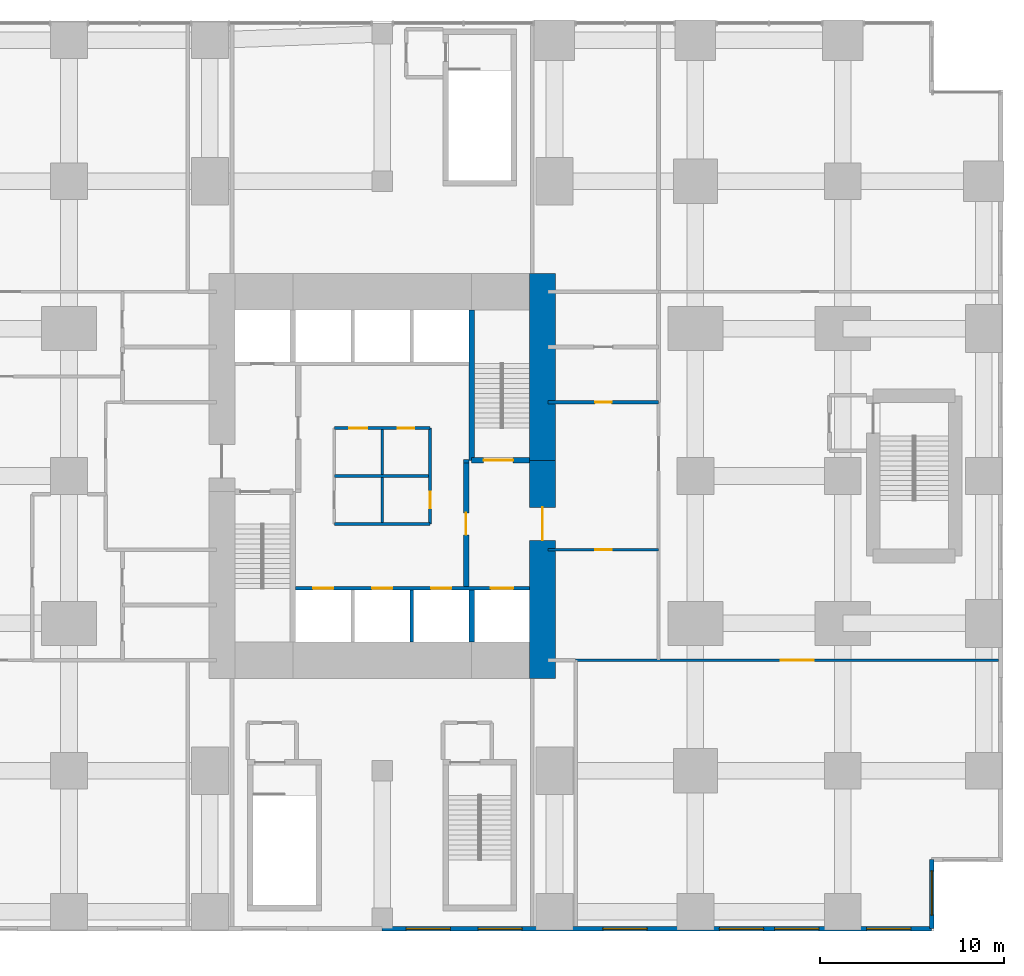
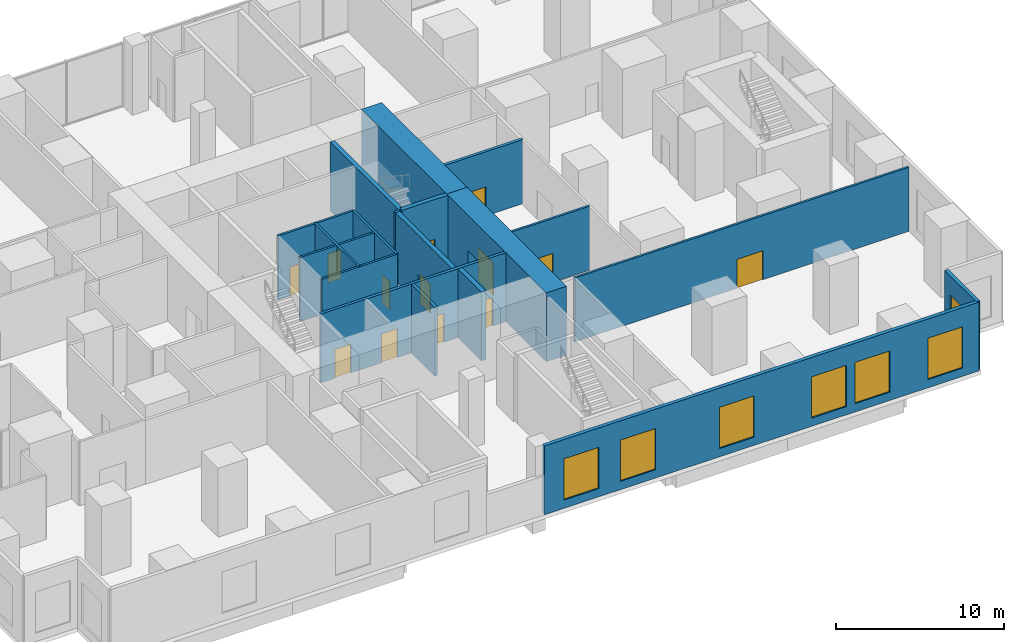
# One storey, part 8 of 11: 19 walls, 13 doors, 7 windows, 20 openings.
"""IFC4 building model written with IfcOpenShell, lengths in metres."""

import ifcopenshell
import ifcopenshell.guid

model = None  # the IFC model being written
_history = None  # IfcOwnerHistory: only IFC2X3 demands one
_inside = {}  # id of a spatial element -> (the spatial element, [elements in it])
_under = {}  # id of a project, library or spatial element -> (it, [spatial elements below it])
_declared = {}  # id of a project -> (the project, [libraries it declares])
_typed = {}  # id of a type object -> (the type object, [elements of that type])
_made_of = {}  # id of a material, layer set ... -> (it, [elements and type objects made of it])


def new_model(schema):
    """Start an empty IFC model of exactly this schema.

    Asked for "IFC4X3", IfcOpenShell would pick the latest addendum, in which some entities
    have other attributes; the version numbers below select the first issue.
    IFC2X3 requires an IfcOwnerHistory on every rooted entity: one is made here for all.
    """
    global model, _history
    if schema == "IFC4X3":
        model = ifcopenshell.file(schema_version=(4, 3, 0, 0))
    else:
        model = ifcopenshell.file(schema=schema)
    _inside.clear()
    _under.clear()
    _declared.clear()
    _typed.clear()
    _made_of.clear()
    _history = None
    if model.schema == "IFC2X3":
        org = make("IfcOrganization", Name="unknown")
        user = make(
            "IfcPersonAndOrganization",
            ThePerson=make("IfcPerson", FamilyName="unknown"),
            TheOrganization=org,
        )
        app = make(
            "IfcApplication",
            ApplicationDeveloper=org,
            Version="unknown",
            ApplicationFullName="unknown",
            ApplicationIdentifier="unknown",
        )
        _history = make(
            "IfcOwnerHistory",
            OwningUser=user,
            OwningApplication=app,
            ChangeAction="ADDED",
            CreationDate=0,
        )
    return model


def make(cls, **values):
    """One entity of the class cls with the attributes given. An attribute that is None is left unset."""
    return model.create_entity(
        cls, **{name: value for name, value in values.items() if value is not None}
    )


def rooted(cls, **values):
    """An entity with a GlobalId (a new one), such as an element, a storey or a relation."""
    return make(cls, GlobalId=ifcopenshell.guid.new(), OwnerHistory=_history, **values)


def si_unit(unit_type, name, prefix=None):
    """IfcSIUnit, for example si_unit("LENGTHUNIT", "METRE", prefix="MILLI")."""
    return make("IfcSIUnit", UnitType=unit_type, Prefix=prefix, Name=name)


def assignment(units):
    """IfcUnitAssignment: the units of a project."""
    return None if units is None else make("IfcUnitAssignment", Units=units)


def point(xyz):
    """IfcCartesianPoint."""
    return None if xyz is None else make("IfcCartesianPoint", Coordinates=xyz)


def direction(xyz):
    """IfcDirection."""
    return None if xyz is None else make("IfcDirection", DirectionRatios=xyz)


def frame(location, z_axis=None, x_axis=None):
    """IfcAxis2Placement3D, a coordinate frame: its origin and axes. An axis left out is left unset."""
    return make(
        "IfcAxis2Placement3D",
        Location=point(location),
        Axis=direction(z_axis),
        RefDirection=direction(x_axis),
    )


def frame_2d(location, x_axis=None):
    """IfcAxis2Placement2D, a coordinate frame in the plane: its origin and x axis."""
    return make(
        "IfcAxis2Placement2D", Location=point(location), RefDirection=direction(x_axis)
    )


def origin():
    """The frame at (0, 0, 0) with its axes left unset."""
    return frame((0.0, 0.0, 0.0))


def place(relative_to, where):
    """IfcLocalPlacement: puts the frame where relative to a parent placement (None: the world)."""
    return make(
        "IfcLocalPlacement", PlacementRelTo=relative_to, RelativePlacement=where
    )


def context(
    kind, dimensions, precision=None, world=None, true_north=None, identifier=None
):
    """IfcGeometricRepresentationContext, for example the 3D "Model" context."""
    return make(
        "IfcGeometricRepresentationContext",
        ContextIdentifier=identifier,
        ContextType=kind,
        CoordinateSpaceDimension=dimensions,
        Precision=precision,
        WorldCoordinateSystem=world,
        TrueNorth=true_north,
    )


def subcontext(parent, identifier, kind, view, scale=None):
    """IfcGeometricRepresentationSubContext, for example "Body" below "Model"."""
    return make(
        "IfcGeometricRepresentationSubContext",
        ContextIdentifier=identifier,
        ContextType=kind,
        ParentContext=parent,
        TargetScale=scale,
        TargetView=view,
    )


def project(units=None, contexts=None):
    """IfcProject with its units and contexts."""
    return rooted(
        "IfcProject",
        Name="project",
        RepresentationContexts=contexts,
        UnitsInContext=assignment(units),
    )


def spatial(cls, under=None, at=None, **own):
    """A site, building, storey or space (cls), placed at a placement, below another one or the project."""
    s = rooted(cls, ObjectPlacement=at, **own)
    if under is not None:
        _under.setdefault(under.id(), (under, []))[1].append(s)
    return s


def profile(cls, at=None, kind="AREA", **sizes):
    """A parametric profile (cls). Its sizes go by their IFC names, for example OverallWidth=200.0."""
    return make(cls, ProfileType=kind, Position=at, **sizes)


def rectangle(**sizes):
    """IfcRectangleProfileDef."""
    return profile("IfcRectangleProfileDef", **sizes)


def extrude(swept, where, along, depth):
    """IfcExtrudedAreaSolid: the profile swept, set in the frame where, extruded along a direction by depth."""
    return make(
        "IfcExtrudedAreaSolid",
        SweptArea=swept,
        Position=where,
        ExtrudedDirection=direction(along),
        Depth=depth,
    )


def shape(context_of_items, identifier, shape_type, items):
    """IfcShapeRepresentation: the items that make up one representation, for example the "Body"."""
    return make(
        "IfcShapeRepresentation",
        ContextOfItems=context_of_items,
        RepresentationIdentifier=identifier,
        RepresentationType=shape_type,
        Items=items,
    )


def material(Name=None, Category=None):
    """IfcMaterial."""
    return make("IfcMaterial", Name=Name, Category=Category)


def layer(
    of_material, thickness, ventilated=None, Name=None, Category=None, Priority=None
):
    """IfcMaterialLayer: one layer of a wall or slab, of a material (None: an air gap)."""
    return make(
        "IfcMaterialLayer",
        Material=of_material,
        LayerThickness=thickness,
        IsVentilated=ventilated,
        Name=Name,
        Category=Category,
        Priority=Priority,
    )


def layer_set(layers, Name=None):
    """IfcMaterialLayerSet."""
    return make("IfcMaterialLayerSet", MaterialLayers=layers, LayerSetName=Name)


def made_of(thing, what):
    """Note that an element or type object is made of a material, layer set ...; save() writes the relation."""
    if what is not None:
        _made_of.setdefault(what.id(), (what, []))[1].append(thing)
    return thing


def type_object(cls, material=None, **own):
    """A type object (cls), such as IfcWallType, which elements share."""
    return made_of(rooted(cls, **own), material)


def element(
    cls,
    number,
    at=None,
    inside=None,
    cuts=None,
    type_object=None,
    material=None,
    context=None,
    identifier="Body",
    shape_type=None,
    held_by="IfcProductDefinitionShape",
    body=None,
    shapes=None,
    **own,
):
    """One element of the class cls, such as IfcWall. Its Tag is "e" and its number.

    at: its placement. inside: the storey or other place that contains it. cuts: it is an
    opening in that element (IfcRelVoidsElement). A single representation is given by context,
    identifier, shape_type and body (its items); several are given by shapes. held_by: the class
    of the entity that holds the representations. save() writes the other relations.
    """
    e = rooted(cls, Tag="e%d" % number, ObjectPlacement=at, **own)
    if body is not None:
        shapes = [shape(context, identifier, shape_type, body)]
    if shapes is not None:
        e.Representation = make(held_by, Representations=shapes)
    if inside is not None:
        _inside.setdefault(inside.id(), (inside, []))[1].append(e)
    if cuts is not None:
        rooted(
            "IfcRelVoidsElement", RelatingBuildingElement=cuts, RelatedOpeningElement=e
        )
    if type_object is not None:
        _typed.setdefault(type_object.id(), (type_object, []))[1].append(e)
    return made_of(e, material)


def fill(opening, filler):
    """IfcRelFillsElement: the door or window that sits in an opening."""
    return rooted(
        "IfcRelFillsElement",
        RelatingOpeningElement=opening,
        RelatedBuildingElement=filler,
    )


def aggregate(whole, parts):
    """IfcRelAggregates: a whole, such as a stair, and the parts it consists of."""
    return rooted("IfcRelAggregates", RelatingObject=whole, RelatedObjects=parts)


def save(model, path):
    """Write the relations noted so far, then the file.

    IfcRelAggregates (storeys below a building ...), IfcRelContainedInSpatialStructure (elements
    in a storey), IfcRelDefinesByType, IfcRelAssociatesMaterial and IfcRelDeclares: one each for
    every whole, place, type object, material and project.
    """
    for whole, parts in _under.values():
        aggregate(whole, parts)
    for where, things in _inside.values():
        rooted(
            "IfcRelContainedInSpatialStructure",
            RelatedElements=things,
            RelatingStructure=where,
        )
    for kind, things in _typed.values():
        rooted("IfcRelDefinesByType", RelatedObjects=things, RelatingType=kind)
    for what, things in _made_of.values():
        rooted("IfcRelAssociatesMaterial", RelatedObjects=things, RelatingMaterial=what)
    for by, libraries in _declared.values():
        rooted("IfcRelDeclares", RelatingContext=by, RelatedDefinitions=libraries)
    model.write(path)


model = new_model("IFC4")

# Units and contexts
model_context = context("Model", 3, precision=1e-05, world=origin(), true_north=direction((0.0, 1.0)))
body_context = subcontext(model_context, "Body", "Model", "MODEL_VIEW")
ifc_project = project(units=[si_unit("LENGTHUNIT", "METRE"), si_unit("AREAUNIT", "SQUARE_METRE"), si_unit("VOLUMEUNIT", "CUBIC_METRE"), si_unit("PLANEANGLEUNIT", "RADIAN"), si_unit("MASSUNIT", "GRAM", prefix="KILO")], contexts=[model_context])

# Site, building, storey
site_placement = place(None, origin())
site = spatial("IfcSite", under=ifc_project, at=site_placement, CompositionType="ELEMENT")
building_placement = place(site_placement, origin())
building = spatial("IfcBuilding", under=site, at=building_placement, Name="Cleftline Residences", CompositionType="ELEMENT")
storey_placement = place(building_placement, frame((0.0, 0.0, 21.0)))
storey = spatial("IfcBuildingStorey", under=building, at=storey_placement, Name="L04", CompositionType="ELEMENT", Elevation=21.0)

# Wall, opening, door
ifc_material_1 = material(Name="Concrete B70", Category="concrete")
ifc_layer_1 = layer(ifc_material_1, 1.39990234375)
ifc_layer_set_1 = layer_set([ifc_layer_1], Name="CORE WALL 1400")
wall_type_1 = type_object("IfcWallType", Name="CORE WALL 1400", PredefinedType="SHEAR", material=ifc_layer_set_1)
wall_1_placement = place(storey_placement, frame((41.699951171875, 13.0, 0.0), z_axis=(0.0, 0.0, 1.0), x_axis=(0.0, 1.0, 0.0)))
wall_1 = element("IfcWall", 1, at=wall_1_placement, inside=storey, type_object=wall_type_1, Name="Core wall E", PredefinedType="SHEAR", context=body_context, shape_type="SweptSolid", body=[
    extrude(rectangle(XDim=11.85009765625, YDim=1.39990234375, at=frame_2d((5.925048828125, 0.0))), origin(), (0.0, 0.0, 1.0), 5.0),
])
opening_1_placement = place(wall_1_placement, frame((7.5, 0.0, 0.0)))
opening_1 = element("IfcOpeningElement", 2, at=opening_1_placement, cuts=wall_1, Name="Opening D7", PredefinedType="OPENING", context=body_context, shape_type="SweptSolid", body=[
    extrude(rectangle(XDim=1.800048828125, YDim=2.39990234375, at=frame_2d((0.89990234375, 1.199951171875))), frame((0.0, 0.7099609375, 0.0), z_axis=(0.0, -1.0, 0.0), x_axis=(1.0, 0.0, 0.0)), (0.0, 0.0, 1.0), 1.419921875),
])
ifc_material_2 = material(Name="Steel", Category="steel")
door_type_1 = type_object("IfcDoorType", Name="WING DOOR 1800X2400", OperationType="DOUBLE_DOOR_DOUBLE_SWING", PredefinedType="DOOR", material=ifc_material_2)
door_1_placement = place(opening_1_placement, origin())
door_1 = element("IfcDoor", 3, at=door_1_placement, inside=storey, type_object=door_type_1, Name="East wing door", OperationType="DOUBLE_DOOR_DOUBLE_SWING", OverallHeight=2.39990234375, OverallWidth=1.800048828125, PredefinedType="DOOR", context=body_context, shape_type="SweptSolid", body=[
    extrude(rectangle(XDim=1.800048828125, YDim=2.39990234375, at=frame_2d((0.89990234375, 1.199951171875))), frame((0.0, 0.02490234375, 0.0), z_axis=(0.0, -1.0, 0.0), x_axis=(1.0, 0.0, 0.0)), (0.0, 0.0, 1.0), 0.050048828125),
])
fill(opening_1, door_1)

# Walls
wall_2_placement = place(storey_placement, frame((41.699951171875, 24.85009765625, 0.0), z_axis=(0.0, 0.0, 1.0), x_axis=(0.0, 1.0, 0.0)))
element("IfcWall", 4, at=wall_2_placement, inside=storey, type_object=wall_type_1, Name="Core wall E1", PredefinedType="SHEAR", context=body_context, shape_type="SweptSolid", body=[
    extrude(rectangle(XDim=10.14990234375, YDim=1.39990234375, at=frame_2d((5.074951171875, 0.0))), origin(), (0.0, 0.0, 1.0), 5.0),
])
ifc_material_3 = material(Name="Concrete B70", Category="concrete")
ifc_layer_2 = layer(ifc_material_3, 0.300048828125)
ifc_layer_set_2 = layer_set([ifc_layer_2], Name="CORE WALL 300")
wall_type_2 = type_object("IfcWallType", Name="CORE WALL 300", PredefinedType="SHEAR", material=ifc_layer_set_2)
wall_3_placement = place(storey_placement, frame((37.85009765625, 24.85009765625, 0.0), z_axis=(0.0, 0.0, 1.0), x_axis=(0.0, 1.0, 0.0)))
element("IfcWall", 5, at=wall_3_placement, inside=storey, type_object=wall_type_2, Name="Core wall SB-W", PredefinedType="SHEAR", context=body_context, shape_type="SweptSolid", body=[
    extrude(rectangle(XDim=8.14990234375, YDim=0.300048828125, at=frame_2d((4.074951171875, 0.0))), origin(), (0.0, 0.0, 1.0), 5.0),
])

# Wall, opening, door
wall_4_placement = place(storey_placement, frame((37.85009765625, 24.85009765625, 0.0), z_axis=(0.0, 0.0, 1.0), x_axis=(1.0, 0.0, 0.0)))
wall_4 = element("IfcWall", 6, at=wall_4_placement, inside=storey, type_object=wall_type_2, Name="Core wall SB-S", PredefinedType="SHEAR", context=body_context, shape_type="SweptSolid", body=[
    extrude(rectangle(XDim=3.14990234375, YDim=0.300048828125, at=frame_2d((1.574951171875, 0.0))), origin(), (0.0, 0.0, 1.0), 5.0),
])
opening_2_placement = place(wall_4_placement, frame((0.64990234375, 0.0, 0.0)))
opening_2 = element("IfcOpeningElement", 7, at=opening_2_placement, cuts=wall_4, Name="Opening D9", PredefinedType="OPENING", context=body_context, shape_type="SweptSolid", body=[
    extrude(rectangle(XDim=1.60009765625, YDim=2.10009765625, at=frame_2d((0.800048828125, 1.050048828125))), frame((0.0, 0.159912109375, 0.0), z_axis=(0.0, -1.0, 0.0), x_axis=(1.0, 0.0, 0.0)), (0.0, 0.0, 1.0), 0.320068359375),
])
ifc_material_4 = material(Name="Steel", Category="steel")
door_type_2 = type_object("IfcDoorType", Name="STAIR DOOR 1600X2100", OperationType="DOUBLE_DOOR_SINGLE_SWING", PredefinedType="DOOR", material=ifc_material_4)
door_2_placement = place(opening_2_placement, origin())
door_2 = element("IfcDoor", 8, at=door_2_placement, inside=storey, type_object=door_type_2, Name="Stair B door", OperationType="DOUBLE_DOOR_SINGLE_SWING", OverallHeight=2.10009765625, OverallWidth=1.60009765625, PredefinedType="DOOR", context=body_context, shape_type="SweptSolid", body=[
    extrude(rectangle(XDim=1.60009765625, YDim=2.10009765625, at=frame_2d((0.800048828125, 1.050048828125))), frame((0.0, 0.02490234375, 0.0), z_axis=(0.0, -1.0, 0.0), x_axis=(1.0, 0.0, 0.0)), (0.0, 0.0, 1.0), 0.050048828125),
])
fill(opening_2, door_2)

# Wall
wall_5_placement = place(storey_placement, frame((37.85009765625, 15.0, 0.0), z_axis=(0.0, 0.0, 1.0), x_axis=(0.0, 1.0, 0.0)))
element("IfcWall", 9, at=wall_5_placement, inside=storey, type_object=wall_type_2, Name="Lift shaft wall", PredefinedType="SHEAR", context=body_context, shape_type="SweptSolid", body=[
    extrude(rectangle(XDim=2.800048828125, YDim=0.300048828125, at=frame_2d((1.39990234375, 0.0))), origin(), (0.0, 0.0, 1.0), 5.0),
])

# Wall, opening, window
ifc_material_5 = material(Name="Rendered reinforced concrete blockwork", Category="masonry")
ifc_layer_3 = layer(ifc_material_5, 0.25)
ifc_layer_set_3 = layer_set([ifc_layer_3], Name="EXTERNAL WALL 250")
wall_type_3 = type_object("IfcWallType", Name="EXTERNAL WALL 250", PredefinedType="SOLIDWALL", material=ifc_layer_set_3)
wall_6_placement = place(storey_placement, frame((62.824951171875, -0.574951171875, 0.0), z_axis=(0.0, 0.0, 1.0), x_axis=(0.0, 1.0, 0.0)))
wall_6 = element("IfcWall", 10, at=wall_6_placement, inside=storey, type_object=wall_type_3, Name="External wall", PredefinedType="SOLIDWALL", context=body_context, shape_type="SweptSolid", body=[
    extrude(rectangle(XDim=3.75, YDim=0.25, at=frame_2d((1.875, 0.0))), origin(), (0.0, 0.0, 1.0), 5.0),
])
opening_3_placement = place(wall_6_placement, frame((0.737548828125, 0.0, 0.60009765625)))
opening_3 = element("IfcOpeningElement", 11, at=opening_3_placement, cuts=wall_6, Name="Opening W3", PredefinedType="OPENING", context=body_context, shape_type="SweptSolid", body=[
    extrude(rectangle(XDim=2.39990234375, YDim=3.0, at=frame_2d((1.199951171875, 1.5))), frame((0.0, 0.135009765625, 0.0), z_axis=(0.0, -1.0, 0.0), x_axis=(1.0, 0.0, 0.0)), (0.0, 0.0, 1.0), 0.27001953125),
])
ifc_material_6 = material(Name="Aluminium frame, clear double glazing", Category="aluminium")
window_type = type_object("IfcWindowType", Name="WINDOW 2400X3000", PartitioningType="DOUBLE_PANEL_VERTICAL", PredefinedType="WINDOW", material=ifc_material_6)
window_1_placement = place(opening_3_placement, origin())
window_1 = element("IfcWindow", 12, at=window_1_placement, inside=storey, type_object=window_type, Name="Window", OverallHeight=3.0, OverallWidth=2.39990234375, PartitioningType="SINGLE_PANEL", PredefinedType="WINDOW", context=body_context, shape_type="SweptSolid", body=[
    extrude(rectangle(XDim=2.39990234375, YDim=3.0, at=frame_2d((1.199951171875, 1.5))), frame((0.0, 0.030029296875, 0.0), z_axis=(0.0, -1.0, 0.0), x_axis=(1.0, 0.0, 0.0)), (0.0, 0.0, 1.0), 0.06005859375),
])
fill(opening_3, window_1)

# Wall, openings, windows
wall_7_placement = place(storey_placement, frame((32.983154296875, -0.574951171875, 0.0), z_axis=(0.0, 0.0, 1.0), x_axis=(1.0, 0.0, 0.0)))
wall_7 = element("IfcWall", 13, at=wall_7_placement, inside=storey, type_object=wall_type_3, Name="External wall", PredefinedType="SOLIDWALL", context=body_context, shape_type="SweptSolid", body=[
    extrude(rectangle(XDim=29.841796875, YDim=0.25, at=frame_2d((14.9208984375, 0.0))), origin(), (0.0, 0.0, 1.0), 5.0),
])
opening_4_placement = place(wall_7_placement, frame((1.31689453125, 0.0, 0.60009765625)))
opening_4 = element("IfcOpeningElement", 14, at=opening_4_placement, cuts=wall_7, Name="Opening W3", PredefinedType="OPENING", context=body_context, shape_type="SweptSolid", body=[
    extrude(rectangle(XDim=2.39990234375, YDim=3.0, at=frame_2d((1.199951171875, 1.5))), frame((0.0, 0.135009765625, 0.0), z_axis=(0.0, -1.0, 0.0), x_axis=(1.0, 0.0, 0.0)), (0.0, 0.0, 1.0), 0.27001953125),
])
opening_5_placement = place(wall_7_placement, frame((5.216796875, 0.0, 0.60009765625)))
opening_5 = element("IfcOpeningElement", 15, at=opening_5_placement, cuts=wall_7, Name="Opening W3", PredefinedType="OPENING", context=body_context, shape_type="SweptSolid", body=[
    extrude(rectangle(XDim=2.39990234375, YDim=3.0, at=frame_2d((1.199951171875, 1.5))), frame((0.0, 0.135009765625, 0.0), z_axis=(0.0, -1.0, 0.0), x_axis=(1.0, 0.0, 0.0)), (0.0, 0.0, 1.0), 0.27001953125),
])
opening_6_placement = place(wall_7_placement, frame((11.99169921875, 0.0, 0.60009765625)))
opening_6 = element("IfcOpeningElement", 16, at=opening_6_placement, cuts=wall_7, Name="Opening W3", PredefinedType="OPENING", context=body_context, shape_type="SweptSolid", body=[
    extrude(rectangle(XDim=2.39990234375, YDim=3.0, at=frame_2d((1.199951171875, 1.5))), frame((0.0, 0.135009765625, 0.0), z_axis=(0.0, -1.0, 0.0), x_axis=(1.0, 0.0, 0.0)), (0.0, 0.0, 1.0), 0.27001953125),
])
opening_7_placement = place(wall_7_placement, frame((18.31689453125, 0.0, 0.60009765625)))
opening_7 = element("IfcOpeningElement", 17, at=opening_7_placement, cuts=wall_7, Name="Opening W3", PredefinedType="OPENING", context=body_context, shape_type="SweptSolid", body=[
    extrude(rectangle(XDim=2.39990234375, YDim=3.0, at=frame_2d((1.199951171875, 1.5))), frame((0.0, 0.135009765625, 0.0), z_axis=(0.0, -1.0, 0.0), x_axis=(1.0, 0.0, 0.0)), (0.0, 0.0, 1.0), 0.27001953125),
])
opening_8_placement = place(wall_7_placement, frame((21.31689453125, 0.0, 0.60009765625)))
opening_8 = element("IfcOpeningElement", 18, at=opening_8_placement, cuts=wall_7, Name="Opening W3", PredefinedType="OPENING", context=body_context, shape_type="SweptSolid", body=[
    extrude(rectangle(XDim=2.39990234375, YDim=3.0, at=frame_2d((1.199951171875, 1.5))), frame((0.0, 0.135009765625, 0.0), z_axis=(0.0, -1.0, 0.0), x_axis=(1.0, 0.0, 0.0)), (0.0, 0.0, 1.0), 0.27001953125),
])
opening_9_placement = place(wall_7_placement, frame((26.31689453125, 0.0, 0.60009765625)))
opening_9 = element("IfcOpeningElement", 19, at=opening_9_placement, cuts=wall_7, Name="Opening W3", PredefinedType="OPENING", context=body_context, shape_type="SweptSolid", body=[
    extrude(rectangle(XDim=2.39990234375, YDim=3.0, at=frame_2d((1.199951171875, 1.5))), frame((0.0, 0.135009765625, 0.0), z_axis=(0.0, -1.0, 0.0), x_axis=(1.0, 0.0, 0.0)), (0.0, 0.0, 1.0), 0.27001953125),
])
window_2_placement = place(opening_4_placement, origin())
window_2 = element("IfcWindow", 20, at=window_2_placement, inside=storey, type_object=window_type, Name="Window", OverallHeight=3.0, OverallWidth=2.39990234375, PartitioningType="SINGLE_PANEL", PredefinedType="WINDOW", context=body_context, shape_type="SweptSolid", body=[
    extrude(rectangle(XDim=2.39990234375, YDim=3.0, at=frame_2d((1.199951171875, 1.5))), frame((0.0, 0.030029296875, 0.0), z_axis=(0.0, -1.0, 0.0), x_axis=(1.0, 0.0, 0.0)), (0.0, 0.0, 1.0), 0.06005859375),
])
fill(opening_4, window_2)
window_3_placement = place(opening_5_placement, origin())
window_3 = element("IfcWindow", 21, at=window_3_placement, inside=storey, type_object=window_type, Name="Window", OverallHeight=3.0, OverallWidth=2.39990234375, PartitioningType="SINGLE_PANEL", PredefinedType="WINDOW", context=body_context, shape_type="SweptSolid", body=[
    extrude(rectangle(XDim=2.39990234375, YDim=3.0, at=frame_2d((1.199951171875, 1.5))), frame((0.0, 0.030029296875, 0.0), z_axis=(0.0, -1.0, 0.0), x_axis=(1.0, 0.0, 0.0)), (0.0, 0.0, 1.0), 0.06005859375),
])
fill(opening_5, window_3)
window_4_placement = place(opening_6_placement, origin())
window_4 = element("IfcWindow", 22, at=window_4_placement, inside=storey, type_object=window_type, Name="Window", OverallHeight=3.0, OverallWidth=2.39990234375, PartitioningType="SINGLE_PANEL", PredefinedType="WINDOW", context=body_context, shape_type="SweptSolid", body=[
    extrude(rectangle(XDim=2.39990234375, YDim=3.0, at=frame_2d((1.199951171875, 1.5))), frame((0.0, 0.030029296875, 0.0), z_axis=(0.0, -1.0, 0.0), x_axis=(1.0, 0.0, 0.0)), (0.0, 0.0, 1.0), 0.06005859375),
])
fill(opening_6, window_4)
window_5_placement = place(opening_7_placement, origin())
window_5 = element("IfcWindow", 23, at=window_5_placement, inside=storey, type_object=window_type, Name="Window", OverallHeight=3.0, OverallWidth=2.39990234375, PartitioningType="SINGLE_PANEL", PredefinedType="WINDOW", context=body_context, shape_type="SweptSolid", body=[
    extrude(rectangle(XDim=2.39990234375, YDim=3.0, at=frame_2d((1.199951171875, 1.5))), frame((0.0, 0.030029296875, 0.0), z_axis=(0.0, -1.0, 0.0), x_axis=(1.0, 0.0, 0.0)), (0.0, 0.0, 1.0), 0.06005859375),
])
fill(opening_7, window_5)
window_6_placement = place(opening_8_placement, origin())
window_6 = element("IfcWindow", 24, at=window_6_placement, inside=storey, type_object=window_type, Name="Window", OverallHeight=3.0, OverallWidth=2.39990234375, PartitioningType="SINGLE_PANEL", PredefinedType="WINDOW", context=body_context, shape_type="SweptSolid", body=[
    extrude(rectangle(XDim=2.39990234375, YDim=3.0, at=frame_2d((1.199951171875, 1.5))), frame((0.0, 0.030029296875, 0.0), z_axis=(0.0, -1.0, 0.0), x_axis=(1.0, 0.0, 0.0)), (0.0, 0.0, 1.0), 0.06005859375),
])
fill(opening_8, window_6)
window_7_placement = place(opening_9_placement, origin())
window_7 = element("IfcWindow", 25, at=window_7_placement, inside=storey, type_object=window_type, Name="Window", OverallHeight=3.0, OverallWidth=2.39990234375, PartitioningType="SINGLE_PANEL", PredefinedType="WINDOW", context=body_context, shape_type="SweptSolid", body=[
    extrude(rectangle(XDim=2.39990234375, YDim=3.0, at=frame_2d((1.199951171875, 1.5))), frame((0.0, 0.030029296875, 0.0), z_axis=(0.0, -1.0, 0.0), x_axis=(1.0, 0.0, 0.0)), (0.0, 0.0, 1.0), 0.06005859375),
])
fill(opening_9, window_7)

# Wall, opening, door
ifc_material_7 = material(Name="Concrete blockwork, fire rated", Category="masonry")
ifc_layer_4 = layer(ifc_material_7, 0.199951171875)
ifc_layer_set_4 = layer_set([ifc_layer_4], Name="FIRE WALL 200")
wall_type_4 = type_object("IfcWallType", Name="FIRE WALL 200", PredefinedType="PARTITIONING", material=ifc_layer_set_4)
wall_8_placement = place(storey_placement, frame((42.0, 28.0, 0.0), z_axis=(0.0, 0.0, 1.0), x_axis=(1.0, 0.0, 0.0)))
wall_8 = element("IfcWall", 26, at=wall_8_placement, inside=storey, type_object=wall_type_4, Name="Fire separating wall", PredefinedType="PARTITIONING", context=body_context, shape_type="SweptSolid", body=[
    extrude(rectangle(XDim=6.0, YDim=0.199951171875, at=frame_2d((3.0, 0.0))), origin(), (0.0, 0.0, 1.0), 4.64990234375),
])
opening_10_placement = place(wall_8_placement, frame((2.550048828125, 0.0, 0.0)))
opening_10 = element("IfcOpeningElement", 27, at=opening_10_placement, cuts=wall_8, Name="Opening D1F30", PredefinedType="OPENING", context=body_context, shape_type="SweptSolid", body=[
    extrude(rectangle(XDim=0.89990234375, YDim=2.10009765625, at=frame_2d((0.449951171875, 1.050048828125))), frame((0.0, 0.10986328125, 0.0), z_axis=(0.0, -1.0, 0.0), x_axis=(1.0, 0.0, 0.0)), (0.0, 0.0, 1.0), 0.219970703125),
])
ifc_material_8 = material(Name="Timber veneer on solid core", Category="wood")
door_type_3 = type_object("IfcDoorType", Name="DOOR 900X2100 EI 30", OperationType="SINGLE_SWING_LEFT", PredefinedType="DOOR", material=ifc_material_8)
door_3_placement = place(opening_10_placement, origin())
door_3 = element("IfcDoor", 28, at=door_3_placement, inside=storey, type_object=door_type_3, Name="Door to accessible wc east", OperationType="SINGLE_SWING_LEFT", OverallHeight=2.10009765625, OverallWidth=0.89990234375, PredefinedType="DOOR", context=body_context, shape_type="SweptSolid", body=[
    extrude(rectangle(XDim=0.89990234375, YDim=2.10009765625, at=frame_2d((0.449951171875, 1.050048828125))), frame((0.0, 0.02490234375, 0.0), z_axis=(0.0, -1.0, 0.0), x_axis=(1.0, 0.0, 0.0)), (0.0, 0.0, 1.0), 0.050048828125),
])
fill(opening_10, door_3)

# Wall
wall_9_placement = place(storey_placement, frame((37.39990234375, 24.800048828125, 0.0), z_axis=(0.0, 0.0, 1.0), x_axis=(1.0, 0.0, 0.0)))
element("IfcWall", 29, at=wall_9_placement, inside=storey, type_object=wall_type_4, Name="Fire separating wall", PredefinedType="PARTITIONING", context=body_context, shape_type="SweptSolid", body=[
    extrude(rectangle(XDim=0.300048828125, YDim=0.199951171875, at=frame_2d((0.14990234375, 0.0))), origin(), (0.0, 0.0, 1.0), 5.0),
])

# Wall, opening, door
ifc_material_9 = material(Name="Gypsum board on steel studs", Category="steel")
ifc_layer_5 = layer(ifc_material_9, 0.14990234375)
ifc_layer_set_5 = layer_set([ifc_layer_5], Name="PARTITION 150")
wall_type_5 = type_object("IfcWallType", Name="PARTITION 150", PredefinedType="PARTITIONING", material=ifc_layer_set_5)
wall_10_placement = place(storey_placement, frame((43.5, 14.0, 0.0), z_axis=(0.0, 0.0, 1.0), x_axis=(1.0, 0.0, 0.0)))
wall_10 = element("IfcWall", 30, at=wall_10_placement, inside=storey, type_object=wall_type_5, Name="Partition", PredefinedType="PARTITIONING", context=body_context, shape_type="SweptSolid", body=[
    extrude(rectangle(XDim=22.949951171875, YDim=0.14990234375, at=frame_2d((11.47509765625, 0.0))), origin(), (0.0, 0.0, 1.0), 4.64990234375),
])
opening_11_placement = place(wall_10_placement, frame((11.125, 0.0, 0.0)))
opening_11 = element("IfcOpeningElement", 31, at=opening_11_placement, cuts=wall_10, Name="Opening D3", PredefinedType="OPENING", context=body_context, shape_type="SweptSolid", body=[
    extrude(rectangle(XDim=1.800048828125, YDim=2.10009765625, at=frame_2d((0.89990234375, 1.050048828125))), frame((0.0, 0.0849609375, 0.0), z_axis=(0.0, -1.0, 0.0), x_axis=(1.0, 0.0, 0.0)), (0.0, 0.0, 1.0), 0.169921875),
])
ifc_material_10 = material(Name="Timber veneer on solid core", Category="wood")
door_type_4 = type_object("IfcDoorType", Name="DOUBLE DOOR 1800X2100", OperationType="DOUBLE_DOOR_DOUBLE_SWING", PredefinedType="DOOR", material=ifc_material_10)
door_4_placement = place(opening_11_placement, origin())
door_4 = element("IfcDoor", 32, at=door_4_placement, inside=storey, type_object=door_type_4, Name="Door to business lounge", OperationType="DOUBLE_DOOR_DOUBLE_SWING", OverallHeight=2.10009765625, OverallWidth=1.800048828125, PredefinedType="DOOR", context=body_context, shape_type="SweptSolid", body=[
    extrude(rectangle(XDim=1.800048828125, YDim=2.10009765625, at=frame_2d((0.89990234375, 1.050048828125))), frame((0.0, 0.02490234375, 0.0), z_axis=(0.0, -1.0, 0.0), x_axis=(1.0, 0.0, 0.0)), (0.0, 0.0, 1.0), 0.050048828125),
])
fill(opening_11, door_4)

wall_11_placement = place(storey_placement, frame((42.0, 20.0, 0.0), z_axis=(0.0, 0.0, 1.0), x_axis=(1.0, 0.0, 0.0)))
wall_11 = element("IfcWall", 33, at=wall_11_placement, inside=storey, type_object=wall_type_5, Name="Partition", PredefinedType="PARTITIONING", context=body_context, shape_type="SweptSolid", body=[
    extrude(rectangle(XDim=6.0, YDim=0.14990234375, at=frame_2d((3.0, 0.0))), origin(), (0.0, 0.0, 1.0), 4.64990234375),
])
opening_12_placement = place(wall_11_placement, frame((2.550048828125, 0.0, 0.0)))
opening_12 = element("IfcOpeningElement", 34, at=opening_12_placement, cuts=wall_11, Name="Opening D1", PredefinedType="OPENING", context=body_context, shape_type="SweptSolid", body=[
    extrude(rectangle(XDim=0.89990234375, YDim=2.10009765625, at=frame_2d((0.449951171875, 1.050048828125))), frame((0.0, 0.0849609375, 0.0), z_axis=(0.0, -1.0, 0.0), x_axis=(1.0, 0.0, 0.0)), (0.0, 0.0, 1.0), 0.169921875),
])
ifc_material_11 = material(Name="Timber veneer on solid core", Category="wood")
door_type_5 = type_object("IfcDoorType", Name="DOOR 900X2100", OperationType="SINGLE_SWING_LEFT", PredefinedType="DOOR", material=ifc_material_11)
door_5_placement = place(opening_12_placement, origin())
door_5 = element("IfcDoor", 35, at=door_5_placement, inside=storey, type_object=door_type_5, Name="Door to store room", OperationType="SINGLE_SWING_LEFT", OverallHeight=2.10009765625, OverallWidth=0.89990234375, PredefinedType="DOOR", context=body_context, shape_type="SweptSolid", body=[
    extrude(rectangle(XDim=0.89990234375, YDim=2.10009765625, at=frame_2d((0.449951171875, 1.050048828125))), frame((0.0, 0.02490234375, 0.0), z_axis=(0.0, -1.0, 0.0), x_axis=(1.0, 0.0, 0.0)), (0.0, 0.0, 1.0), 0.050048828125),
])
fill(opening_12, door_5)

# Wall
ifc_material_12 = material(Name="Fire-resisting gypsum board on steel studs", Category="steel")
ifc_layer_6 = layer(ifc_material_12, 0.14990234375)
ifc_layer_set_6 = layer_set([ifc_layer_6], Name="PARTITION 150 EI 60")
wall_type_6 = type_object("IfcWallType", Name="PARTITION 150 EI 60", PredefinedType="PARTITIONING", material=ifc_layer_set_6)
wall_12_placement = place(storey_placement, frame((30.39990234375, 21.39990234375, 0.0), z_axis=(0.0, 0.0, 1.0), x_axis=(1.0, 0.0, 0.0)))
element("IfcWall", 36, at=wall_12_placement, inside=storey, type_object=wall_type_6, Name="Core room partition", PredefinedType="PARTITIONING", context=body_context, shape_type="SweptSolid", body=[
    extrude(rectangle(XDim=5.2001953125, YDim=0.14990234375, at=frame_2d((2.60009765625, 0.0))), origin(), (0.0, 0.0, 1.0), 4.64990234375),
])

# Wall, openings, doors
wall_13_placement = place(storey_placement, frame((30.39990234375, 26.60009765625, 0.0), z_axis=(0.0, 0.0, 1.0), x_axis=(1.0, 0.0, 0.0)))
wall_13 = element("IfcWall", 37, at=wall_13_placement, inside=storey, type_object=wall_type_6, Name="Core room partition", PredefinedType="PARTITIONING", context=body_context, shape_type="SweptSolid", body=[
    extrude(rectangle(XDim=5.2001953125, YDim=0.14990234375, at=frame_2d((2.60009765625, 0.0))), origin(), (0.0, 0.0, 1.0), 4.64990234375),
])
opening_13_placement = place(wall_13_placement, frame((0.800048828125, 0.0, 0.0)))
opening_13 = element("IfcOpeningElement", 38, at=opening_13_placement, cuts=wall_13, Name="Opening D2F60", PredefinedType="OPENING", context=body_context, shape_type="SweptSolid", body=[
    extrude(rectangle(XDim=1.0, YDim=2.10009765625, at=frame_2d((0.5, 1.050048828125))), frame((0.0, 0.0849609375, 0.0), z_axis=(0.0, -1.0, 0.0), x_axis=(1.0, 0.0, 0.0)), (0.0, 0.0, 1.0), 0.169921875),
])
opening_14_placement = place(wall_13_placement, frame((3.449951171875, 0.0, 0.0)))
opening_14 = element("IfcOpeningElement", 39, at=opening_14_placement, cuts=wall_13, Name="Opening D1F30", PredefinedType="OPENING", context=body_context, shape_type="SweptSolid", body=[
    extrude(rectangle(XDim=0.89990234375, YDim=2.10009765625, at=frame_2d((0.449951171875, 1.050048828125))), frame((0.0, 0.0849609375, 0.0), z_axis=(0.0, -1.0, 0.0), x_axis=(1.0, 0.0, 0.0)), (0.0, 0.0, 1.0), 0.169921875),
])
ifc_material_13 = material(Name="Timber veneer on solid core", Category="wood")
door_type_6 = type_object("IfcDoorType", Name="DOOR 1000X2100 EI 60", OperationType="SINGLE_SWING_LEFT", PredefinedType="DOOR", material=ifc_material_13)
door_6_placement = place(opening_13_placement, origin())
door_6 = element("IfcDoor", 40, at=door_6_placement, inside=storey, type_object=door_type_6, Name="Door to security equipment room", OperationType="SINGLE_SWING_RIGHT", OverallHeight=2.10009765625, OverallWidth=1.0, PredefinedType="DOOR", context=body_context, shape_type="SweptSolid", body=[
    extrude(rectangle(XDim=1.0, YDim=2.10009765625, at=frame_2d((0.5, 1.050048828125))), frame((0.0, 0.02490234375, 0.0), z_axis=(0.0, -1.0, 0.0), x_axis=(1.0, 0.0, 0.0)), (0.0, 0.0, 1.0), 0.050048828125),
])
fill(opening_13, door_6)
door_7_placement = place(opening_14_placement, origin())
door_7 = element("IfcDoor", 41, at=door_7_placement, inside=storey, type_object=door_type_3, Name="Door to concierge store", OperationType="SINGLE_SWING_LEFT", OverallHeight=2.10009765625, OverallWidth=0.89990234375, PredefinedType="DOOR", context=body_context, shape_type="SweptSolid", body=[
    extrude(rectangle(XDim=0.89990234375, YDim=2.10009765625, at=frame_2d((0.449951171875, 1.050048828125))), frame((0.0, 0.02490234375, 0.0), z_axis=(0.0, -1.0, 0.0), x_axis=(1.0, 0.0, 0.0)), (0.0, 0.0, 1.0), 0.050048828125),
])
fill(opening_14, door_7)

# Wall, opening, door
wall_14_placement = place(storey_placement, frame((35.60009765625, 21.39990234375, 0.0), z_axis=(0.0, 0.0, 1.0), x_axis=(0.0, 1.0, 0.0)))
wall_14 = element("IfcWall", 42, at=wall_14_placement, inside=storey, type_object=wall_type_6, Name="Core room partition", PredefinedType="PARTITIONING", context=body_context, shape_type="SweptSolid", body=[
    extrude(rectangle(XDim=5.2001953125, YDim=0.14990234375, at=frame_2d((2.60009765625, 0.0))), origin(), (0.0, 0.0, 1.0), 4.64990234375),
])
opening_15_placement = place(wall_14_placement, frame((0.85009765625, 0.0, 0.0)))
opening_15 = element("IfcOpeningElement", 43, at=opening_15_placement, cuts=wall_14, Name="Opening D1F30", PredefinedType="OPENING", context=body_context, shape_type="SweptSolid", body=[
    extrude(rectangle(XDim=0.89990234375, YDim=2.10009765625, at=frame_2d((0.449951171875, 1.050048828125))), frame((0.0, 0.0849609375, 0.0), z_axis=(0.0, -1.0, 0.0), x_axis=(1.0, 0.0, 0.0)), (0.0, 0.0, 1.0), 0.169921875),
])
door_8_placement = place(opening_15_placement, origin())
door_8 = element("IfcDoor", 44, at=door_8_placement, inside=storey, type_object=door_type_3, Name="Door to retail stock room", OperationType="SINGLE_SWING_RIGHT", OverallHeight=2.10009765625, OverallWidth=0.89990234375, PredefinedType="DOOR", context=body_context, shape_type="SweptSolid", body=[
    extrude(rectangle(XDim=0.89990234375, YDim=2.10009765625, at=frame_2d((0.449951171875, 1.050048828125))), frame((0.0, 0.02490234375, 0.0), z_axis=(0.0, -1.0, 0.0), x_axis=(1.0, 0.0, 0.0)), (0.0, 0.0, 1.0), 0.050048828125),
])
fill(opening_15, door_8)

# Walls
for number, where, z_axis, x_axis, name in (
    (45, (30.39990234375, 24.0, 0.0), (0.0, 0.0, 1.0), (1.0, 0.0, 0.0), "Core room partition"),
    (46, (33.0, 21.39990234375, 0.0), (0.0, 0.0, 1.0), (0.0, 1.0, 0.0), "Core room partition"),
):
    element("IfcWall", number, at=place(storey_placement, frame(where, z_axis=z_axis, x_axis=x_axis)), inside=storey, type_object=wall_type_6, Name=name, PredefinedType="PARTITIONING", context=body_context, shape_type="SweptSolid", body=[
        extrude(rectangle(XDim=5.2001953125, YDim=0.14990234375, at=frame_2d((2.60009765625, 0.0))), origin(), (0.0, 0.0, 1.0), 4.64990234375),
    ])

# Wall, openings, doors
ifc_material_14 = material(Name="Concrete blockwork, fire rated", Category="masonry")
ifc_layer_7 = layer(ifc_material_14, 0.199951171875)
ifc_layer_set_7 = layer_set([ifc_layer_7], Name="SHAFT WALL 200")
wall_type_7 = type_object("IfcWallType", Name="SHAFT WALL 200", PredefinedType="PARTITIONING", material=ifc_layer_set_7)
wall_15_placement = place(storey_placement, frame((28.300048828125, 17.89990234375, 0.0), z_axis=(0.0, 0.0, 1.0), x_axis=(1.0, 0.0, 0.0)))
wall_15 = element("IfcWall", 47, at=wall_15_placement, inside=storey, type_object=wall_type_7, Name="Lift shaft wall", PredefinedType="PARTITIONING", context=body_context, shape_type="SweptSolid", body=[
    extrude(rectangle(XDim=12.699951171875, YDim=0.199951171875, at=frame_2d((6.35009765625, 0.0))), origin(), (0.0, 0.0, 1.0), 5.0),
])
opening_16_placement = place(wall_15_placement, frame((0.949951171875, 0.0, 0.0)))
opening_16 = element("IfcOpeningElement", 48, at=opening_16_placement, cuts=wall_15, Name="Opening LD1", PredefinedType="OPENING", context=body_context, shape_type="SweptSolid", body=[
    extrude(rectangle(XDim=1.10009765625, YDim=2.10009765625, at=frame_2d((0.550048828125, 1.050048828125))), frame((0.0, 0.10986328125, 0.0), z_axis=(0.0, -1.0, 0.0), x_axis=(1.0, 0.0, 0.0)), (0.0, 0.0, 1.0), 0.219970703125),
])
opening_17_placement = place(wall_15_placement, frame((4.14990234375, 0.0, 0.0)))
opening_17 = element("IfcOpeningElement", 49, at=opening_17_placement, cuts=wall_15, Name="Opening LD1", PredefinedType="OPENING", context=body_context, shape_type="SweptSolid", body=[
    extrude(rectangle(XDim=1.10009765625, YDim=2.10009765625, at=frame_2d((0.550048828125, 1.050048828125))), frame((0.0, 0.10986328125, 0.0), z_axis=(0.0, -1.0, 0.0), x_axis=(1.0, 0.0, 0.0)), (0.0, 0.0, 1.0), 0.219970703125),
])
opening_18_placement = place(wall_15_placement, frame((7.35009765625, 0.0, 0.0)))
opening_18 = element("IfcOpeningElement", 50, at=opening_18_placement, cuts=wall_15, Name="Opening LD1", PredefinedType="OPENING", context=body_context, shape_type="SweptSolid", body=[
    extrude(rectangle(XDim=1.10009765625, YDim=2.10009765625, at=frame_2d((0.550048828125, 1.050048828125))), frame((0.0, 0.10986328125, 0.0), z_axis=(0.0, -1.0, 0.0), x_axis=(1.0, 0.0, 0.0)), (0.0, 0.0, 1.0), 0.219970703125),
])
opening_19_placement = place(wall_15_placement, frame((10.60009765625, 0.0, 0.0)))
opening_19 = element("IfcOpeningElement", 51, at=opening_19_placement, cuts=wall_15, Name="Opening LD2", PredefinedType="OPENING", context=body_context, shape_type="SweptSolid", body=[
    extrude(rectangle(XDim=1.199951171875, YDim=2.10009765625, at=frame_2d((0.60009765625, 1.050048828125))), frame((0.0, 0.10986328125, 0.0), z_axis=(0.0, -1.0, 0.0), x_axis=(1.0, 0.0, 0.0)), (0.0, 0.0, 1.0), 0.219970703125),
])
ifc_material_15 = material(Name="Steel", Category="steel")
door_type_7 = type_object("IfcDoorType", Name="FIREFIGHTING LIFT LANDING DOOR 1200X2100", OperationType="SLIDING_TO_LEFT", PredefinedType="DOOR", material=ifc_material_15)
door_9_placement = place(opening_19_placement, origin())
door_9 = element("IfcDoor", 52, at=door_9_placement, inside=storey, type_object=door_type_7, Name="Lift FL2 landing door", OperationType="SLIDING_TO_LEFT", OverallHeight=2.10009765625, OverallWidth=1.199951171875, PredefinedType="DOOR", context=body_context, shape_type="SweptSolid", body=[
    extrude(rectangle(XDim=1.199951171875, YDim=2.10009765625, at=frame_2d((0.60009765625, 1.050048828125))), frame((0.0, 0.02490234375, 0.0), z_axis=(0.0, -1.0, 0.0), x_axis=(1.0, 0.0, 0.0)), (0.0, 0.0, 1.0), 0.050048828125),
])
fill(opening_19, door_9)
ifc_material_16 = material(Name="Steel", Category="steel")
door_type_8 = type_object("IfcDoorType", Name="LIFT LANDING DOOR 1100X2100", OperationType="SLIDING_TO_LEFT", PredefinedType="DOOR", material=ifc_material_16)
door_10_placement = place(opening_16_placement, origin())
door_10 = element("IfcDoor", 53, at=door_10_placement, inside=storey, type_object=door_type_8, Name="Lift P1 landing door", OperationType="SLIDING_TO_LEFT", OverallHeight=2.10009765625, OverallWidth=1.10009765625, PredefinedType="DOOR", context=body_context, shape_type="SweptSolid", body=[
    extrude(rectangle(XDim=1.10009765625, YDim=2.10009765625, at=frame_2d((0.550048828125, 1.050048828125))), frame((0.0, 0.02490234375, 0.0), z_axis=(0.0, -1.0, 0.0), x_axis=(1.0, 0.0, 0.0)), (0.0, 0.0, 1.0), 0.050048828125),
])
fill(opening_16, door_10)
door_11_placement = place(opening_17_placement, origin())
door_11 = element("IfcDoor", 54, at=door_11_placement, inside=storey, type_object=door_type_8, Name="Lift P2 landing door", OperationType="SLIDING_TO_LEFT", OverallHeight=2.10009765625, OverallWidth=1.10009765625, PredefinedType="DOOR", context=body_context, shape_type="SweptSolid", body=[
    extrude(rectangle(XDim=1.10009765625, YDim=2.10009765625, at=frame_2d((0.550048828125, 1.050048828125))), frame((0.0, 0.02490234375, 0.0), z_axis=(0.0, -1.0, 0.0), x_axis=(1.0, 0.0, 0.0)), (0.0, 0.0, 1.0), 0.050048828125),
])
fill(opening_17, door_11)
door_12_placement = place(opening_18_placement, origin())
door_12 = element("IfcDoor", 55, at=door_12_placement, inside=storey, type_object=door_type_8, Name="Lift P3 landing door", OperationType="SLIDING_TO_LEFT", OverallHeight=2.10009765625, OverallWidth=1.10009765625, PredefinedType="DOOR", context=body_context, shape_type="SweptSolid", body=[
    extrude(rectangle(XDim=1.10009765625, YDim=2.10009765625, at=frame_2d((0.550048828125, 1.050048828125))), frame((0.0, 0.02490234375, 0.0), z_axis=(0.0, -1.0, 0.0), x_axis=(1.0, 0.0, 0.0)), (0.0, 0.0, 1.0), 0.050048828125),
])
fill(opening_18, door_12)

# Wall
wall_16_placement = place(storey_placement, frame((34.60009765625, 15.0, 0.0), z_axis=(0.0, 0.0, 1.0), x_axis=(0.0, 1.0, 0.0)))
element("IfcWall", 56, at=wall_16_placement, inside=storey, type_object=wall_type_7, Name="Lift shaft wall", PredefinedType="PARTITIONING", context=body_context, shape_type="SweptSolid", body=[
    extrude(rectangle(XDim=2.800048828125, YDim=0.199951171875, at=frame_2d((1.39990234375, 0.0))), origin(), (0.0, 0.0, 1.0), 5.0),
])

# Wall, opening, door
ifc_material_17 = material(Name="Concrete blockwork, fire rated", Category="masonry")
ifc_layer_8 = layer(ifc_material_17, 0.300048828125)
ifc_layer_set_8 = layer_set([ifc_layer_8], Name="STAIR LOBBY WALL 300")
wall_type_8 = type_object("IfcWallType", Name="STAIR LOBBY WALL 300", PredefinedType="PARTITIONING", material=ifc_layer_set_8)
wall_17_placement = place(storey_placement, frame((37.550048828125, 18.0, 0.0), z_axis=(0.0, 0.0, 1.0), x_axis=(0.0, 1.0, 0.0)))
wall_17 = element("IfcWall", 57, at=wall_17_placement, inside=storey, type_object=wall_type_8, Name="Stair and lobby wall FB-W", PredefinedType="PARTITIONING", context=body_context, shape_type="SweptSolid", body=[
    extrude(rectangle(XDim=6.699951171875, YDim=0.300048828125, at=frame_2d((3.35009765625, 0.0))), origin(), (0.0, 0.0, 1.0), 5.0),
])
opening_20_placement = place(wall_17_placement, frame((2.800048828125, 0.0, 0.0)))
opening_20 = element("IfcOpeningElement", 58, at=opening_20_placement, cuts=wall_17, Name="Opening D6", PredefinedType="OPENING", context=body_context, shape_type="SweptSolid", body=[
    extrude(rectangle(XDim=1.199951171875, YDim=2.10009765625, at=frame_2d((0.60009765625, 1.050048828125))), frame((0.0, 0.159912109375, 0.0), z_axis=(0.0, -1.0, 0.0), x_axis=(1.0, 0.0, 0.0)), (0.0, 0.0, 1.0), 0.320068359375),
])
ifc_material_18 = material(Name="Steel", Category="steel")
door_type_9 = type_object("IfcDoorType", Name="LOBBY DOOR 1200X2100", OperationType="SINGLE_SWING_RIGHT", PredefinedType="DOOR", material=ifc_material_18)
door_13_placement = place(opening_20_placement, origin())
door_13 = element("IfcDoor", 59, at=door_13_placement, inside=storey, type_object=door_type_9, Name="Firefighting lobby B door", OperationType="SINGLE_SWING_LEFT", OverallHeight=2.10009765625, OverallWidth=1.199951171875, PredefinedType="DOOR", context=body_context, shape_type="SweptSolid", body=[
    extrude(rectangle(XDim=1.199951171875, YDim=2.10009765625, at=frame_2d((0.60009765625, 1.050048828125))), frame((0.0, 0.02490234375, 0.0), z_axis=(0.0, -1.0, 0.0), x_axis=(1.0, 0.0, 0.0)), (0.0, 0.0, 1.0), 0.050048828125),
])
fill(opening_20, door_13)

save(model, "model.ifc")
